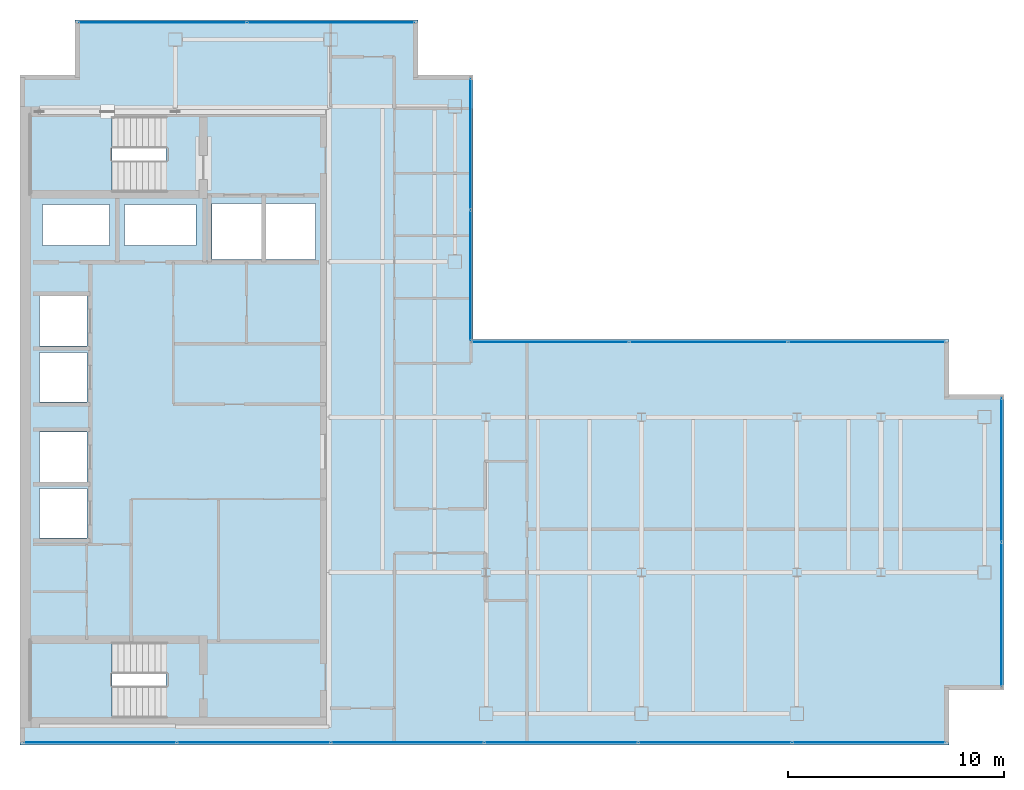
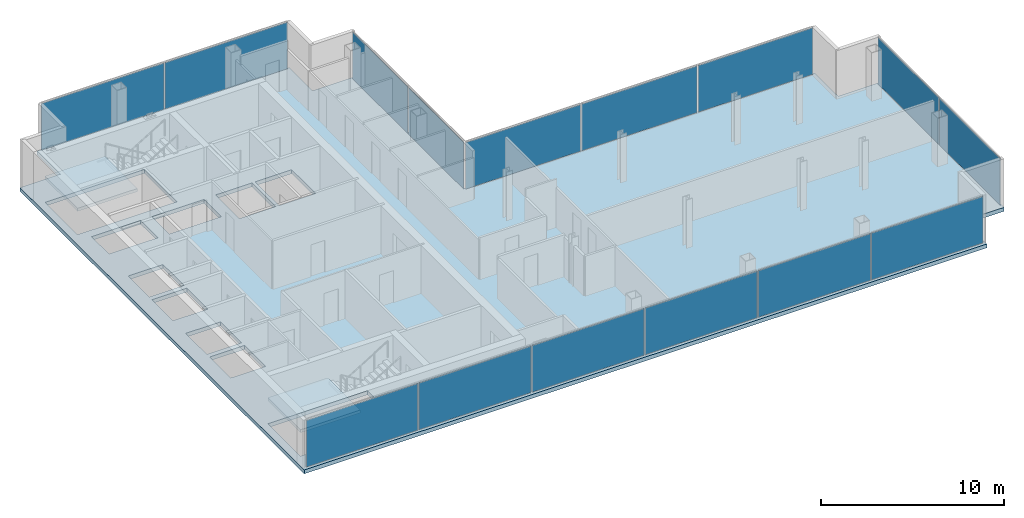
# One storey, part 19 of 23: 15 plates, 3 slabs, 10 openings, 7 elements without a shape of their own.
"""IFC4 building model written with IfcOpenShell, lengths in metres."""

from ifc_helpers import new_model, si_unit, direction, frame, origin, origin_2d, place, context, subcontext, project, spatial, polyline, rectangle, outline, extrude, material, layer, layer_set, type_object, element, aggregate, save


model = new_model("IFC4")

# Units and contexts
model_context = context("Model", 3, precision=1e-05, world=origin(), true_north=direction((0.0, 1.0)))
body_context = subcontext(model_context, "Body", "Model", "MODEL_VIEW")
ifc_project = project(units=[si_unit("LENGTHUNIT", "METRE"), si_unit("AREAUNIT", "SQUARE_METRE"), si_unit("VOLUMEUNIT", "CUBIC_METRE"), si_unit("PLANEANGLEUNIT", "RADIAN"), si_unit("MASSUNIT", "GRAM", prefix="KILO")], contexts=[model_context])

# Site, building, storey
site_placement = place(None, origin())
site = spatial("IfcSite", under=ifc_project, at=site_placement, CompositionType="ELEMENT")
building_placement = place(site_placement, origin())
building = spatial("IfcBuilding", under=site, at=building_placement, Name="Cobrela Telecom Tower", CompositionType="ELEMENT")
storey_placement = place(building_placement, frame((0.0, 0.0, 255.14990234375)))
storey = spatial("IfcBuildingStorey", under=building, at=storey_placement, Name="L66", CompositionType="ELEMENT", Elevation=255.14990234375)

# Curtain wall, plates
ifc_material_1 = material(Name="Anodized Bronze Aluminium 6063-T6", Category="aluminium")
curtain_wall_type = type_object("IfcCurtainWallType", Name="CW-SYS-OFF-HI", PredefinedType="USERDEFINED", material=ifc_material_1)
curtain_wall_1_placement = place(storey_placement, origin())
curtain_wall_1 = element("IfcCurtainWall", 1, at=curtain_wall_1_placement, inside=storey, type_object=curtain_wall_type, Name="L66 Unitised Bronze Curtain Wall 05", ObjectType="UNITISED CURTAIN WALL", PredefinedType="USERDEFINED")
ifc_material_2 = material(Name="Solar-Control Bronze Low-E Glass", Category="glass")
ifc_layer_1 = layer(ifc_material_2, 0.030029296875)
ifc_layer_set_1 = layer_set([ifc_layer_1], Name="Solar-Control Bronze Low-E Glass")
plate_type = type_object("IfcPlateType", Name="CW-SYS-OFF-HI-PNL", PredefinedType="CURTAIN_PANEL", material=ifc_layer_set_1)
plate_1_placement = place(storey_placement, frame((6.6025390625, 39.8798828125, 0.06494140625), z_axis=(0.0, 0.0, 1.0), x_axis=(1.0, 0.0, 0.0)))
plate_1 = element("IfcPlate", 2, at=plate_1_placement, type_object=plate_type, Name="CW-OFF-HI panel 1.1", PredefinedType="CURTAIN_PANEL", context=body_context, shape_type="SweptSolid", body=[
    extrude(rectangle(XDim=7.72509765625, YDim=0.030029296875, at=origin_2d()), origin(), (0.0, 0.0, 1.0), 3.110107421875),
])
plate_2_placement = place(storey_placement, frame((14.3974609375, 39.8798828125, 0.06494140625), z_axis=(0.0, 0.0, 1.0), x_axis=(1.0, 0.0, 0.0)))
plate_2 = element("IfcPlate", 3, at=plate_2_placement, type_object=plate_type, Name="CW-OFF-HI panel 2.1", PredefinedType="CURTAIN_PANEL", context=body_context, shape_type="SweptSolid", body=[
    extrude(rectangle(XDim=7.72509765625, YDim=0.030029296875, at=origin_2d()), origin(), (0.0, 0.0, 1.0), 3.110107421875),
])
aggregate(curtain_wall_1, [plate_1, plate_2])

curtain_wall_2_placement = place(storey_placement, origin())
curtain_wall_2 = element("IfcCurtainWall", 4, at=curtain_wall_2_placement, inside=storey, type_object=curtain_wall_type, Name="L66 Unitised Bronze Curtain Wall 08", ObjectType="UNITISED CURTAIN WALL", PredefinedType="USERDEFINED")
plate_3_placement = place(storey_placement, frame((20.8798828125, 34.25, 0.06494140625), z_axis=(0.0, 0.0, 1.0), x_axis=(0.0, -1.0, 0.0)))
plate_3 = element("IfcPlate", 5, at=plate_3_placement, type_object=plate_type, Name="CW-OFF-HI panel 1.1", PredefinedType="CURTAIN_PANEL", context=body_context, shape_type="SweptSolid", body=[
    extrude(rectangle(XDim=6.02001953125, YDim=0.030029296875, at=origin_2d()), origin(), (0.0, 0.0, 1.0), 3.110107421875),
])
plate_4_placement = place(storey_placement, frame((20.8798828125, 28.159912109375, 0.06494140625), z_axis=(0.0, 0.0, 1.0), x_axis=(0.0, -1.0, 0.0)))
plate_4 = element("IfcPlate", 6, at=plate_4_placement, type_object=plate_type, Name="CW-OFF-HI panel 2.1", PredefinedType="CURTAIN_PANEL", context=body_context, shape_type="SweptSolid", body=[
    extrude(rectangle(XDim=6.02001953125, YDim=0.030029296875, at=origin_2d()), origin(), (0.0, 0.0, 1.0), 3.110107421875),
])
aggregate(curtain_wall_2, [plate_3, plate_4])

curtain_wall_3_placement = place(storey_placement, origin())
curtain_wall_3 = element("IfcCurtainWall", 7, at=curtain_wall_3_placement, inside=storey, type_object=curtain_wall_type, Name="L66 Unitised Bronze Curtain Wall 09", ObjectType="UNITISED CURTAIN WALL", PredefinedType="USERDEFINED")
plate_5_placement = place(storey_placement, frame((24.572509765625, 25.080078125, 0.06494140625), z_axis=(0.0, 0.0, 1.0), x_axis=(1.0, 0.0, 0.0)))
plate_5 = element("IfcPlate", 8, at=plate_5_placement, type_object=plate_type, Name="CW-OFF-HI panel 1.1", PredefinedType="CURTAIN_PANEL", context=body_context, shape_type="SweptSolid", body=[
    extrude(rectangle(XDim=7.2451171875, YDim=0.030029296875, at=origin_2d()), origin(), (0.0, 0.0, 1.0), 3.110107421875),
])
plate_6_placement = place(storey_placement, frame((31.905029296875, 25.080078125, 0.06494140625), z_axis=(0.0, 0.0, 1.0), x_axis=(1.0, 0.0, 0.0)))
plate_6 = element("IfcPlate", 9, at=plate_6_placement, type_object=plate_type, Name="CW-OFF-HI panel 2.1", PredefinedType="CURTAIN_PANEL", context=body_context, shape_type="SweptSolid", body=[
    extrude(rectangle(XDim=7.280029296875, YDim=0.030029296875, at=origin_2d()), origin(), (0.0, 0.0, 1.0), 3.110107421875),
])
plate_7_placement = place(storey_placement, frame((39.237548828125, 25.080078125, 0.06494140625), z_axis=(0.0, 0.0, 1.0), x_axis=(1.0, 0.0, 0.0)))
plate_7 = element("IfcPlate", 10, at=plate_7_placement, type_object=plate_type, Name="CW-OFF-HI panel 3.1", PredefinedType="CURTAIN_PANEL", context=body_context, shape_type="SweptSolid", body=[
    extrude(rectangle(XDim=7.2451171875, YDim=0.030029296875, at=origin_2d()), origin(), (0.0, 0.0, 1.0), 3.110107421875),
])
aggregate(curtain_wall_3, [plate_5, plate_6, plate_7])

curtain_wall_4_placement = place(storey_placement, origin())
curtain_wall_4 = element("IfcCurtainWall", 11, at=curtain_wall_4_placement, inside=storey, type_object=curtain_wall_type, Name="L66 Unitised Bronze Curtain Wall 12", ObjectType="UNITISED CURTAIN WALL", PredefinedType="USERDEFINED")
plate_8_placement = place(storey_placement, frame((45.47998046875, 19.1474609375, 0.06494140625), z_axis=(0.0, 0.0, 1.0), x_axis=(0.0, -1.0, 0.0)))
plate_8 = element("IfcPlate", 12, at=plate_8_placement, type_object=plate_type, Name="CW-OFF-HI panel 1.1", PredefinedType="CURTAIN_PANEL", context=body_context, shape_type="SweptSolid", body=[
    extrude(rectangle(XDim=6.625, YDim=0.030029296875, at=origin_2d()), origin(), (0.0, 0.0, 1.0), 3.110107421875),
])
plate_9_placement = place(storey_placement, frame((45.47998046875, 12.452392578125, 0.06494140625), z_axis=(0.0, 0.0, 1.0), x_axis=(0.0, -1.0, 0.0)))
plate_9 = element("IfcPlate", 13, at=plate_9_placement, type_object=plate_type, Name="CW-OFF-HI panel 2.1", PredefinedType="CURTAIN_PANEL", context=body_context, shape_type="SweptSolid", body=[
    extrude(rectangle(XDim=6.625, YDim=0.030029296875, at=origin_2d()), origin(), (0.0, 0.0, 1.0), 3.110107421875),
])
aggregate(curtain_wall_4, [plate_8, plate_9])

curtain_wall_5_placement = place(storey_placement, origin())
curtain_wall_5 = element("IfcCurtainWall", 14, at=curtain_wall_5_placement, inside=storey, type_object=curtain_wall_type, Name="L66 Unitised Bronze Curtain Wall 15", ObjectType="UNITISED CURTAIN WALL", PredefinedType="USERDEFINED")
plate_10_placement = place(storey_placement, frame((39.344970703125, 6.52001953125, 0.06494140625), z_axis=(0.0, 0.0, 1.0), x_axis=(-1.0, 0.0, 0.0)))
plate_10 = element("IfcPlate", 15, at=plate_10_placement, type_object=plate_type, Name="CW-OFF-HI panel 1.1", PredefinedType="CURTAIN_PANEL", context=body_context, shape_type="SweptSolid", body=[
    extrude(rectangle(XDim=7.030029296875, YDim=0.030029296875, at=origin_2d()), origin(), (0.0, 0.0, 1.0), 3.110107421875),
])
plate_11_placement = place(storey_placement, frame((32.2275390625, 6.52001953125, 0.06494140625), z_axis=(0.0, 0.0, 1.0), x_axis=(-1.0, 0.0, 0.0)))
plate_11 = element("IfcPlate", 16, at=plate_11_placement, type_object=plate_type, Name="CW-OFF-HI panel 2.1", PredefinedType="CURTAIN_PANEL", context=body_context, shape_type="SweptSolid", body=[
    extrude(rectangle(XDim=7.06494140625, YDim=0.030029296875, at=origin_2d()), origin(), (0.0, 0.0, 1.0), 3.110107421875),
])
plate_12_placement = place(storey_placement, frame((25.092529296875, 6.52001953125, 0.06494140625), z_axis=(0.0, 0.0, 1.0), x_axis=(-1.0, 0.0, 0.0)))
plate_12 = element("IfcPlate", 17, at=plate_12_placement, type_object=plate_type, Name="CW-OFF-HI panel 3.1", PredefinedType="CURTAIN_PANEL", context=body_context, shape_type="SweptSolid", body=[
    extrude(rectangle(XDim=7.06494140625, YDim=0.030029296875, at=origin_2d()), origin(), (0.0, 0.0, 1.0), 3.110107421875),
])
plate_13_placement = place(storey_placement, frame((17.95751953125, 6.52001953125, 0.06494140625), z_axis=(0.0, 0.0, 1.0), x_axis=(-1.0, 0.0, 0.0)))
plate_13 = element("IfcPlate", 18, at=plate_13_placement, type_object=plate_type, Name="CW-OFF-HI panel 4.1", PredefinedType="CURTAIN_PANEL", context=body_context, shape_type="SweptSolid", body=[
    extrude(rectangle(XDim=7.06494140625, YDim=0.030029296875, at=origin_2d()), origin(), (0.0, 0.0, 1.0), 3.110107421875),
])
plate_14_placement = place(storey_placement, frame((10.822509765625, 6.52001953125, 0.06494140625), z_axis=(0.0, 0.0, 1.0), x_axis=(-1.0, 0.0, 0.0)))
plate_14 = element("IfcPlate", 19, at=plate_14_placement, type_object=plate_type, Name="CW-OFF-HI panel 5.1", PredefinedType="CURTAIN_PANEL", context=body_context, shape_type="SweptSolid", body=[
    extrude(rectangle(XDim=7.06494140625, YDim=0.030029296875, at=origin_2d()), origin(), (0.0, 0.0, 1.0), 3.110107421875),
])
plate_15_placement = place(storey_placement, frame((3.705078125, 6.52001953125, 0.06494140625), z_axis=(0.0, 0.0, 1.0), x_axis=(-1.0, 0.0, 0.0)))
plate_15 = element("IfcPlate", 20, at=plate_15_placement, type_object=plate_type, Name="CW-OFF-HI panel 6.1", PredefinedType="CURTAIN_PANEL", context=body_context, shape_type="SweptSolid", body=[
    extrude(rectangle(XDim=7.030029296875, YDim=0.030029296875, at=origin_2d()), origin(), (0.0, 0.0, 1.0), 3.110107421875),
])
aggregate(curtain_wall_5, [plate_10, plate_11, plate_12, plate_13, plate_14, plate_15])

# Slab, openings
ifc_material_3 = material(Name="Concrete C40/50", Category="concrete")
ifc_layer_2 = layer(ifc_material_3, 0.260009765625)
ifc_layer_set_2 = layer_set([ifc_layer_2], Name="Concrete C40/50")
slab_type_1 = type_object("IfcSlabType", Name="SLAB-FLR-260", PredefinedType="FLOOR", material=ifc_layer_set_2)
slab_1_placement = place(storey_placement, frame((0.0, 0.0, -0.260009765625)))
slab_1 = element("IfcSlab", 21, at=slab_1_placement, inside=storey, type_object=slab_type_1, Name="L66 Structural Floor Slab", PredefinedType="FLOOR", context=body_context, shape_type="SweptSolid", body=[
    extrude(outline(polyline([(0.0, 6.39990234375), (43.050048828125, 6.39990234375), (43.050048828125, 8.949951171875), (45.60009765625, 8.949951171875), (45.60009765625, 22.64990234375), (43.050048828125, 22.64990234375), (43.050048828125, 25.199951171875), (21.0, 25.199951171875), (21.0, 37.449951171875), (18.449951171875, 37.449951171875), (18.449951171875, 40.0), (2.550048828125, 40.0), (2.550048828125, 37.449951171875), (0.0, 37.449951171875), (0.0, 6.39990234375)])), origin(), (0.0, 0.0, 1.0), 0.260009765625),
])
opening_1_placement = place(slab_1_placement, frame((0.0, 0.0, -0.02001953125)))
element("IfcOpeningElement", 22, at=opening_1_placement, cuts=slab_1, Name="Slab Shaft Opening SLAB-L66-MAIN.1", PredefinedType="OPENING", context=body_context, shape_type="SweptSolid", body=[
    extrude(outline(polyline([(8.89990234375, 28.89990234375), (11.199951171875, 28.89990234375), (11.199951171875, 31.5), (8.89990234375, 31.5), (8.89990234375, 28.89990234375)])), origin(), (0.0, 0.0, 1.0), 0.300048828125),
])
opening_2_placement = place(slab_1_placement, frame((0.0, 0.0, -0.02001953125)))
element("IfcOpeningElement", 23, at=opening_2_placement, cuts=slab_1, Name="Slab Shaft Opening SLAB-L66-MAIN.2", PredefinedType="OPENING", context=body_context, shape_type="SweptSolid", body=[
    extrude(outline(polyline([(11.39990234375, 28.89990234375), (13.699951171875, 28.89990234375), (13.699951171875, 31.5), (11.39990234375, 31.5), (11.39990234375, 28.89990234375)])), origin(), (0.0, 0.0, 1.0), 0.300048828125),
])
opening_3_placement = place(slab_1_placement, frame((0.0, 0.0, -0.02001953125)))
element("IfcOpeningElement", 24, at=opening_3_placement, cuts=slab_1, Name="Slab Shaft Opening SLAB-L66-MAIN.3", PredefinedType="OPENING", context=body_context, shape_type="SweptSolid", body=[
    extrude(outline(polyline([(0.89990234375, 16.0), (3.10009765625, 16.0), (3.10009765625, 18.300048828125), (0.89990234375, 18.300048828125), (0.89990234375, 16.0)])), origin(), (0.0, 0.0, 1.0), 0.300048828125),
])
opening_4_placement = place(slab_1_placement, frame((0.0, 0.0, -0.02001953125)))
element("IfcOpeningElement", 25, at=opening_4_placement, cuts=slab_1, Name="Slab Shaft Opening SLAB-L66-MAIN.4", PredefinedType="OPENING", context=body_context, shape_type="SweptSolid", body=[
    extrude(outline(polyline([(0.89990234375, 18.60009765625), (3.10009765625, 18.60009765625), (3.10009765625, 20.89990234375), (0.89990234375, 20.89990234375), (0.89990234375, 18.60009765625)])), origin(), (0.0, 0.0, 1.0), 0.300048828125),
])
opening_5_placement = place(slab_1_placement, frame((0.0, 0.0, -0.02001953125)))
element("IfcOpeningElement", 26, at=opening_5_placement, cuts=slab_1, Name="Slab Shaft Opening SLAB-L66-MAIN.5", PredefinedType="OPENING", context=body_context, shape_type="SweptSolid", body=[
    extrude(outline(polyline([(0.89990234375, 22.300048828125), (3.10009765625, 22.300048828125), (3.10009765625, 24.60009765625), (0.89990234375, 24.60009765625), (0.89990234375, 22.300048828125)])), origin(), (0.0, 0.0, 1.0), 0.300048828125),
])
opening_6_placement = place(slab_1_placement, frame((0.0, 0.0, -0.02001953125)))
element("IfcOpeningElement", 27, at=opening_6_placement, cuts=slab_1, Name="Slab Shaft Opening SLAB-L66-MAIN.6", PredefinedType="OPENING", context=body_context, shape_type="SweptSolid", body=[
    extrude(outline(polyline([(0.89990234375, 24.89990234375), (3.10009765625, 24.89990234375), (3.10009765625, 27.199951171875), (0.89990234375, 27.199951171875), (0.89990234375, 24.89990234375)])), origin(), (0.0, 0.0, 1.0), 0.300048828125),
])
opening_7_placement = place(slab_1_placement, frame((0.0, 0.0, -0.02001953125)))
element("IfcOpeningElement", 28, at=opening_7_placement, cuts=slab_1, Name="Slab Shaft Opening SLAB-L66-MAIN.7", PredefinedType="OPENING", context=body_context, shape_type="SweptSolid", body=[
    extrude(outline(polyline([(1.050048828125, 29.550048828125), (4.14990234375, 29.550048828125), (4.14990234375, 31.449951171875), (1.050048828125, 31.449951171875), (1.050048828125, 29.550048828125)])), origin(), (0.0, 0.0, 1.0), 0.300048828125),
])
opening_8_placement = place(slab_1_placement, frame((0.0, 0.0, -0.02001953125)))
element("IfcOpeningElement", 29, at=opening_8_placement, cuts=slab_1, Name="Slab Shaft Opening SLAB-L66-MAIN.8", PredefinedType="OPENING", context=body_context, shape_type="SweptSolid", body=[
    extrude(outline(polyline([(4.85009765625, 29.550048828125), (8.14990234375, 29.550048828125), (8.14990234375, 31.449951171875), (4.85009765625, 31.449951171875), (4.85009765625, 29.550048828125)])), origin(), (0.0, 0.0, 1.0), 0.300048828125),
])
opening_9_placement = place(slab_1_placement, frame((0.0, 0.0, -0.02001953125)))
element("IfcOpeningElement", 30, at=opening_9_placement, cuts=slab_1, Name="Slab Shaft Opening SLAB-L66-MAIN.9", PredefinedType="OPENING", context=body_context, shape_type="SweptSolid", body=[
    extrude(outline(polyline([(6.7548828125, 35.550048828125), (0.47998046875, 35.550048828125), (0.47998046875, 32.0), (6.7548828125, 32.0), (6.7548828125, 35.550048828125)])), origin(), (0.0, 0.0, 1.0), 0.300048828125),
])
opening_10_placement = place(slab_1_placement, frame((0.0, 0.0, -0.02001953125)))
element("IfcOpeningElement", 31, at=opening_10_placement, cuts=slab_1, Name="Slab Shaft Opening SLAB-L66-MAIN.10", PredefinedType="OPENING", context=body_context, shape_type="SweptSolid", body=[
    extrude(outline(polyline([(6.7548828125, 11.199951171875), (0.47998046875, 11.199951171875), (0.47998046875, 7.64990234375), (6.7548828125, 7.64990234375), (6.7548828125, 11.199951171875)])), origin(), (0.0, 0.0, 1.0), 0.300048828125),
])

# Stair, slab
stair_type = type_object("IfcStairType", Name="STAIR-CORE", PredefinedType="HALF_TURN_STAIR", material=ifc_material_3)
stair_1_placement = place(storey_placement, origin())
stair_1 = element("IfcStair", 32, at=stair_1_placement, inside=storey, type_object=stair_type, Name="L66 Smokeproof Exit Stair ST1", PredefinedType="HALF_TURN_STAIR")
ifc_layer_3 = layer(ifc_material_3, 0.199951171875)
ifc_layer_set_3 = layer_set([ifc_layer_3], Name="Concrete C40/50")
slab_type_2 = type_object("IfcSlabType", Name="SLAB-LAND-200", PredefinedType="LANDING", material=ifc_layer_set_3)
slab_2_placement = place(storey_placement, frame((0.0, 0.0, 1.550048828125)))
slab_2 = element("IfcSlab", 33, at=slab_2_placement, type_object=slab_type_2, Name="ST1 landing 1", PredefinedType="LANDING", context=body_context, shape_type="SweptSolid", body=[
    extrude(outline(polyline([(4.2548828125, 35.550048828125), (0.47998046875, 35.550048828125), (0.47998046875, 32.0), (4.2548828125, 32.0), (4.2548828125, 35.550048828125)])), origin(), (0.0, 0.0, 1.0), 0.199951171875),
])
aggregate(stair_1, [slab_2])

stair_2_placement = place(storey_placement, origin())
stair_2 = element("IfcStair", 34, at=stair_2_placement, inside=storey, type_object=stair_type, Name="L66 Smokeproof Exit Stair ST2", PredefinedType="HALF_TURN_STAIR")
slab_3_placement = place(storey_placement, frame((0.0, 0.0, 1.550048828125)))
slab_3 = element("IfcSlab", 35, at=slab_3_placement, type_object=slab_type_2, Name="ST2 landing 1", PredefinedType="LANDING", context=body_context, shape_type="SweptSolid", body=[
    extrude(outline(polyline([(4.2548828125, 11.199951171875), (0.47998046875, 11.199951171875), (0.47998046875, 7.64990234375), (4.2548828125, 7.64990234375), (4.2548828125, 11.199951171875)])), origin(), (0.0, 0.0, 1.0), 0.199951171875),
])
aggregate(stair_2, [slab_3])

save(model, "model.ifc")
